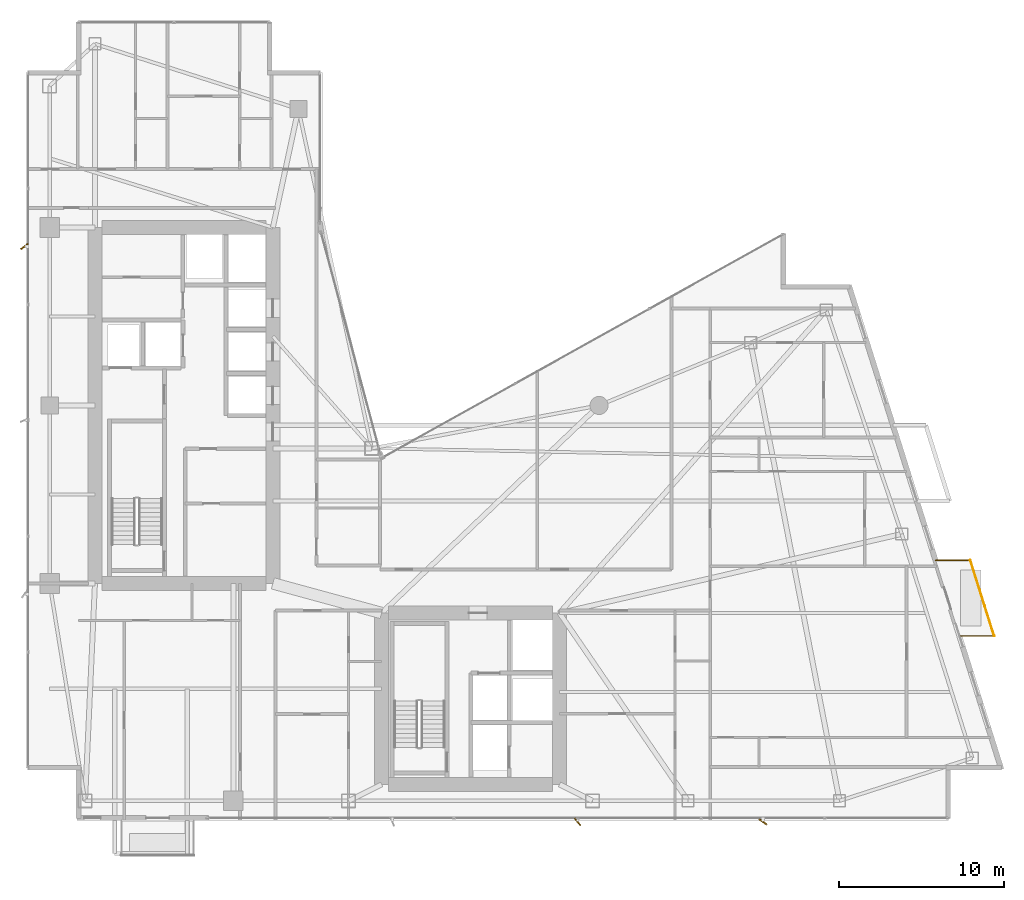
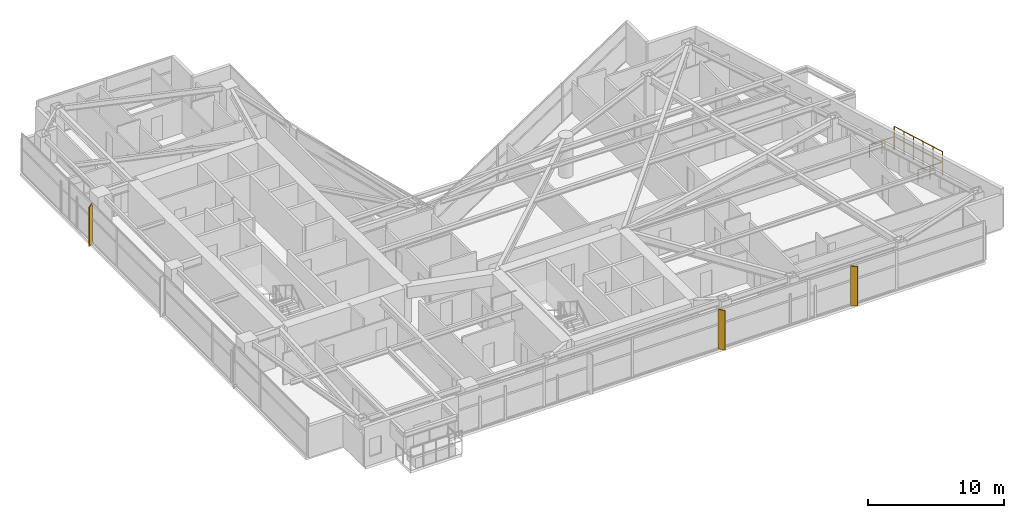
# One storey, part 28 of 28: 3 shading devices, 2 railings.
"""IFC4 building model written with IfcOpenShell, lengths in metres."""

from ifc_helpers import new_model, si_unit, direction, frame, origin, origin_2d, place, context, subcontext, project, spatial, rectangle, circle, extrude, material, type_object, element, save


model = new_model("IFC4")

# Units and contexts
model_context = context("Model", 3, precision=1e-05, world=origin(), true_north=direction((0.0, 1.0)))
body_context = subcontext(model_context, "Body", "Model", "MODEL_VIEW")
ifc_project = project(units=[si_unit("LENGTHUNIT", "METRE"), si_unit("AREAUNIT", "SQUARE_METRE"), si_unit("VOLUMEUNIT", "CUBIC_METRE"), si_unit("PLANEANGLEUNIT", "RADIAN"), si_unit("MASSUNIT", "GRAM", prefix="KILO")], contexts=[model_context])

# Site, building, storey
site_placement = place(None, origin())
site = spatial("IfcSite", under=ifc_project, at=site_placement, CompositionType="ELEMENT")
building_placement = place(site_placement, origin())
building = spatial("IfcBuilding", under=site, at=building_placement, Name="Calvorn Quay Hotel", CompositionType="ELEMENT")
storey_placement = place(building_placement, frame((0.0, 0.0, 131.60009765625)))
storey = spatial("IfcBuildingStorey", under=building, at=storey_placement, Name="L32", CompositionType="ELEMENT", Elevation=131.60009765625)

# Railings
ifc_material_1 = material(Name="Pale Anodised Aluminium and Laminated Glass", Category="aluminium")
railing_type = type_object("IfcRailingType", Name="RLG-BALUSTRADE-1200", PredefinedType="BALUSTRADE", material=ifc_material_1)
railing_1_placement = place(storey_placement, frame((56.68896484375, 13.60009765625, 0.0)))
element("IfcRailing", 1, at=railing_1_placement, inside=storey, type_object=railing_type, Name="Tree Balcony Perimeter Balustrade L32-BALC-E", PredefinedType="BALUSTRADE", context=body_context, shape_type="SweptSolid", body=[
    extrude(circle(Radius=0.02392578125, at=origin_2d()), frame((0.0, 0.0, 1.17578125), z_axis=(1.0, 0.0, 0.0), x_axis=(0.0, 1.0, 0.0)), (0.0, 0.0, 1.0), 2.10009765625),
    extrude(circle(Radius=0.02392578125, at=origin_2d()), frame((2.10009765625, 0.0, 1.17578125), z_axis=(-0.300450487966, 0.953797412599, 0.0), x_axis=(-0.953797412599, -0.300450487966, 0.0)), (0.0, 0.0, 1.0), 4.82275390625),
    extrude(circle(Radius=0.02392578125, at=origin_2d()), frame((0.651123046875, 4.599853515625, 1.17578125), z_axis=(-1.0, 0.0, 0.0), x_axis=(0.0, -1.0, 0.0)), (0.0, 0.0, 1.0), 2.10009765625),
    extrude(circle(Radius=0.02099609375, at=origin_2d()), origin(), (0.0, 0.0, 1.0), 1.15185546875),
    extrude(circle(Radius=0.02099609375, at=origin_2d()), frame((1.050048828125, 0.0, 0.0)), (0.0, 0.0, 1.0), 1.15185546875),
    extrude(circle(Radius=0.02099609375, at=origin_2d()), frame((2.10009765625, 0.0, 0.0)), (0.0, 0.0, 1.0), 1.15185546875),
    extrude(circle(Radius=0.02099609375, at=origin_2d()), frame((1.810302734375, 0.919921875, 0.0)), (0.0, 0.0, 1.0), 1.15185546875),
    extrude(circle(Radius=0.02099609375, at=origin_2d()), frame((1.5205078125, 1.83984375, 0.0)), (0.0, 0.0, 1.0), 1.15185546875),
    extrude(circle(Radius=0.02099609375, at=origin_2d()), frame((1.230712890625, 2.760009765625, 0.0)), (0.0, 0.0, 1.0), 1.15185546875),
    extrude(circle(Radius=0.02099609375, at=origin_2d()), frame((0.94091796875, 3.679931640625, 0.0)), (0.0, 0.0, 1.0), 1.15185546875),
    extrude(circle(Radius=0.02099609375, at=origin_2d()), frame((0.651123046875, 4.599853515625, 0.0)), (0.0, 0.0, 1.0), 1.15185546875),
    extrude(circle(Radius=0.02099609375, at=origin_2d()), frame((-0.39892578125, 4.599853515625, 0.0)), (0.0, 0.0, 1.0), 1.15185546875),
    extrude(circle(Radius=0.02099609375, at=origin_2d()), frame((-1.448974609375, 4.599853515625, 0.0)), (0.0, 0.0, 1.0), 1.15185546875),
])
railing_2_placement = place(storey_placement, frame((58.7890625, 13.60009765625, 0.89990234375)))
element("IfcRailing", 2, at=railing_2_placement, inside=storey, type_object=railing_type, Name="Planter Kerb High Safety Screen L32-BALC-E", PredefinedType="BALUSTRADE", context=body_context, shape_type="SweptSolid", body=[
    extrude(circle(Radius=0.02392578125, at=origin_2d()), frame((0.0, 0.0, 1.19580078125), z_axis=(-0.300450487966, 0.953797412599, 0.0), x_axis=(-0.953797412599, -0.300450487966, 0.0)), (0.0, 0.0, 1.0), 4.82275390625),
    extrude(circle(Radius=0.02099609375, at=origin_2d()), origin(), (0.0, 0.0, 1.0), 1.171875),
    extrude(circle(Radius=0.02099609375, at=origin_2d()), frame((-0.289794921875, 0.919921875, 0.0)), (0.0, 0.0, 1.0), 1.171875),
    extrude(circle(Radius=0.02099609375, at=origin_2d()), frame((-0.57958984375, 1.83984375, 0.0)), (0.0, 0.0, 1.0), 1.171875),
    extrude(circle(Radius=0.02099609375, at=origin_2d()), frame((-0.869384765625, 2.760009765625, 0.0)), (0.0, 0.0, 1.0), 1.171875),
    extrude(circle(Radius=0.02099609375, at=origin_2d()), frame((-1.1591796875, 3.679931640625, 0.0)), (0.0, 0.0, 1.0), 1.171875),
    extrude(circle(Radius=0.02099609375, at=origin_2d()), frame((-1.448974609375, 4.599853515625, 0.0)), (0.0, 0.0, 1.0), 1.171875),
])

# Shading devices
ifc_material_2 = material(Name="Champagne Bronze Anodised Aluminium 6063-T6", Category="aluminium")
shading_device_type_1 = type_object("IfcShadingDeviceType", Name="SHD-FIN-A2", PredefinedType="USERDEFINED", material=ifc_material_2)
for number, where, z_axis, x_axis, name in (
    (3, (-0.080078125, 37.25, -0.000244140625), (0.0, 0.0, 1.0), (0.788010753607, 0.615661475326, 0.0), "Diagonal Sun-Shading Fin L32-W03"),
    (4, (33.5, 2.320068359375, -0.000244140625), (0.0, 0.0, 1.0), (-0.615661475326, 0.788010753607, 0.0), "Diagonal Sun-Shading Fin L32-S02"),
):
    element("IfcShadingDevice", number, at=place(storey_placement, frame(where, z_axis=z_axis, x_axis=x_axis)), inside=storey, type_object=shading_device_type_1, Name=name, ObjectType="FIN", PredefinedType="USERDEFINED", context=body_context, shape_type="SweptSolid", body=[
        extrude(rectangle(XDim=0.550048828125, YDim=0.080078125, at=origin_2d()), origin(), (0.0, 0.0, 1.0), 3.56005859375),
    ])
ifc_material_3 = material(Name="Champagne Bronze Anodised Aluminium 6063-T6", Category="aluminium")
shading_device_type_2 = type_object("IfcShadingDeviceType", Name="SHD-FIN-A3", PredefinedType="USERDEFINED", material=ifc_material_3)
shading_device_placement = place(storey_placement, frame((44.75, 2.320068359375, -0.000244140625), z_axis=(0.0, 0.0, 1.0), x_axis=(-0.809016994375, 0.587785252292, 0.0)))
element("IfcShadingDevice", 5, at=shading_device_placement, inside=storey, type_object=shading_device_type_2, Name="Diagonal Sun-Shading Fin L32-S03", ObjectType="FIN", PredefinedType="USERDEFINED", context=body_context, shape_type="SweptSolid", body=[
    extrude(rectangle(XDim=0.550048828125, YDim=0.080078125, at=origin_2d()), origin(), (0.0, 0.0, 1.0), 3.56005859375),
])

save(model, "model.ifc")
